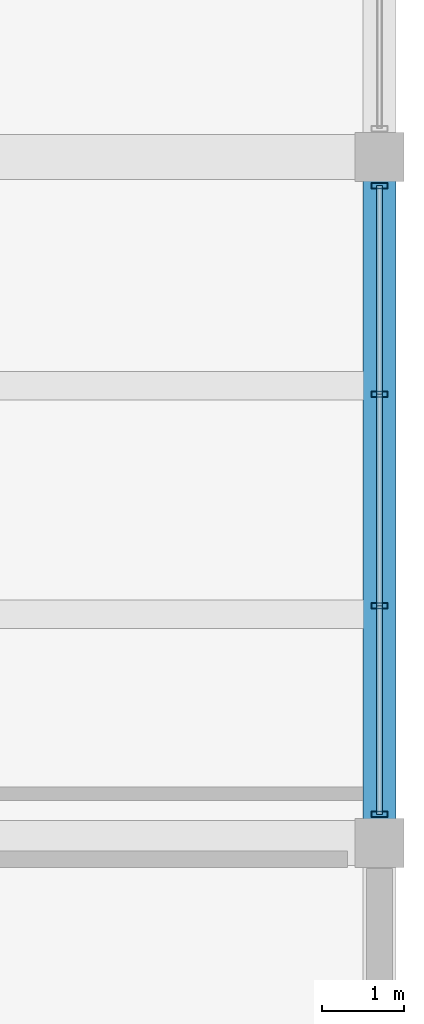
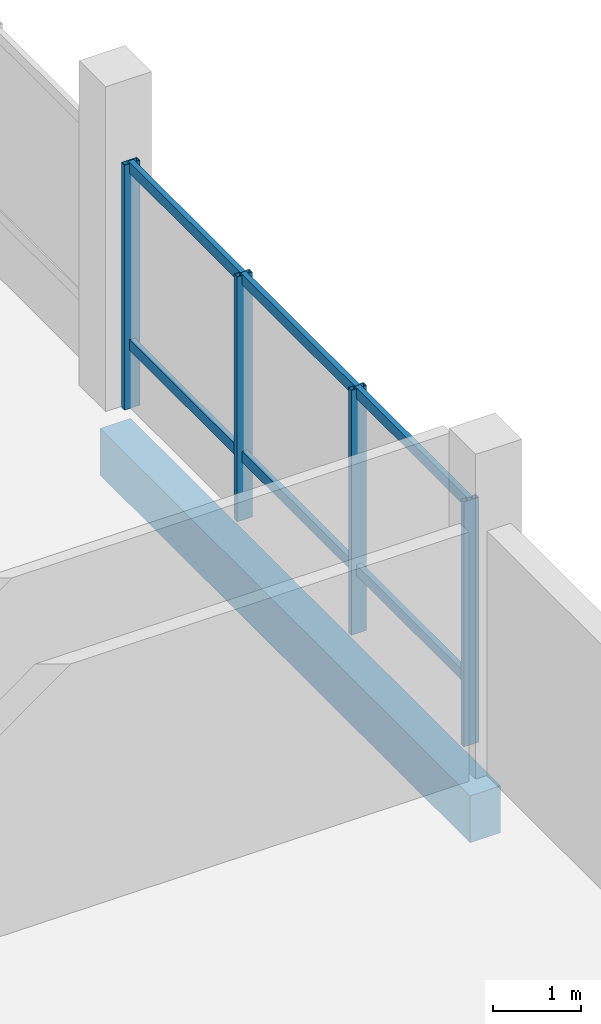
# One storey, part 54 of 77: 10 members, 1 beam, 1 element without a shape of its own.
"""IFC4 building model written with IfcOpenShell, lengths in metres."""

from ifc_helpers import new_model, si_unit, direction, frame, origin, origin_2d, place, context, subcontext, project, spatial, rectangle, hollow_rectangle, extrude, material, layer, layer_set, material_profile, profile_set, type_object, element, aggregate, save


model = new_model("IFC4")

# Units and contexts
model_context = context("Model", 3, precision=1e-05, world=origin(), true_north=direction((0.0, 1.0)))
body_context = subcontext(model_context, "Body", "Model", "MODEL_VIEW")
ifc_project = project(units=[si_unit("LENGTHUNIT", "METRE"), si_unit("AREAUNIT", "SQUARE_METRE"), si_unit("VOLUMEUNIT", "CUBIC_METRE"), si_unit("PLANEANGLEUNIT", "RADIAN"), si_unit("MASSUNIT", "GRAM", prefix="KILO")], contexts=[model_context])

# Site, building, storey
site_placement = place(None, origin())
site = spatial("IfcSite", under=ifc_project, at=site_placement, CompositionType="ELEMENT")
building_placement = place(site_placement, origin())
building = spatial("IfcBuilding", under=site, at=building_placement, Name="Meriwether Solvik Hall", CompositionType="ELEMENT")
storey_placement = place(building_placement, frame((0.0, 0.0, 9.89990234375)))
storey = spatial("IfcBuildingStorey", under=building, at=storey_placement, Name="L02", CompositionType="ELEMENT", Elevation=9.89990234375)

# Beam
ifc_material_1 = material(Name="Concrete C40/50", Category="concrete")
ifc_material_profile_1 = material_profile(ifc_material_1, rectangle(XDim=0.39990234375, YDim=0.64990234375, at=origin_2d()), Name="RCB-400X650")
ifc_profile_set_1 = profile_set([ifc_material_profile_1], Name="Concrete C40/50")
beam_type = type_object("IfcBeamType", Name="BM-RC-400X650", PredefinedType="SPANDREL", material=ifc_profile_set_1)
beam_placement = place(storey_placement, frame((166.800048828125, 92.800048828125, -0.77490234375), z_axis=(0.0, 1.0, 0.0), x_axis=(-1.0, 0.0, 0.0)))
element("IfcBeam", 1, at=beam_placement, inside=storey, type_object=beam_type, Name="Podium Girder 19:K-L (L02)", PredefinedType="SPANDREL", context=body_context, shape_type="SweptSolid", body=[
    extrude(rectangle(XDim=0.39990234375, YDim=0.64990234375, at=origin_2d()), origin(), (0.0, 0.0, 1.0), 8.39990234375),
])

# Curtain wall, members
ifc_material_2 = material(Name="Thermally Broken Anodised Aluminium 6063-T6 and Low-E Glass", Category="aluminium")
ifc_layer = layer(ifc_material_2, 0.179931640625)
ifc_layer_set = layer_set([ifc_layer], Name="Thermally Broken Anodised Aluminium 6063-T6 and Low-E Glass")
curtain_wall_type = type_object("IfcCurtainWallType", Name="CW-SF-POD-C", PredefinedType="USERDEFINED", material=ifc_layer_set)
curtain_wall_placement = place(storey_placement, origin())
curtain_wall = element("IfcCurtainWall", 2, at=curtain_wall_placement, inside=storey, type_object=curtain_wall_type, Name="Curtain Wall wing_Y19_11_47 (L02)", ObjectType="STICK STOREFRONT GLAZING", PredefinedType="USERDEFINED")
ifc_material_3 = material(Name="Anodised Aluminium 6063-T6", Category="aluminium")
ifc_material_profile_2 = material_profile(ifc_material_3, hollow_rectangle(XDim=0.070068359375, YDim=0.199951171875, WallThickness=0.0048828125, at=origin_2d()), Name="CWM-70X200")
ifc_profile_set_2 = profile_set([ifc_material_profile_2], Name="Anodised Aluminium 6063-T6")
member_type_1 = type_object("IfcMemberType", Name="CW-MUL-70X200", PredefinedType="MULLION", material=ifc_profile_set_2)
member_1_placement = place(storey_placement, frame((166.800048828125, 100.85009765625, 0.0), z_axis=(0.0, 0.0, 1.0), x_axis=(0.0, -1.0, 0.0)))
member_1 = element("IfcMember", 3, at=member_1_placement, type_object=member_type_1, Name="Curtain Wall Mullion 1", PredefinedType="MULLION", context=body_context, shape_type="SweptSolid", body=[
    extrude(hollow_rectangle(XDim=0.070068359375, YDim=0.199951171875, WallThickness=0.0048828125, at=origin_2d()), origin(), (0.0, 0.0, 1.0), 3.39501953125),
])
member_2_placement = place(storey_placement, frame((166.800048828125, 98.2958984375, 0.0), z_axis=(0.0, 0.0, 1.0), x_axis=(0.0, -1.0, 0.0)))
member_2 = element("IfcMember", 4, at=member_2_placement, type_object=member_type_1, Name="Curtain Wall Mullion 2", PredefinedType="MULLION", context=body_context, shape_type="SweptSolid", body=[
    extrude(hollow_rectangle(XDim=0.070068359375, YDim=0.199951171875, WallThickness=0.0048828125, at=origin_2d()), origin(), (0.0, 0.0, 1.0), 3.39501953125),
])
member_3_placement = place(storey_placement, frame((166.800048828125, 95.7041015625, 0.0), z_axis=(0.0, 0.0, 1.0), x_axis=(0.0, -1.0, 0.0)))
member_3 = element("IfcMember", 5, at=member_3_placement, type_object=member_type_1, Name="Curtain Wall Mullion 3", PredefinedType="MULLION", context=body_context, shape_type="SweptSolid", body=[
    extrude(hollow_rectangle(XDim=0.070068359375, YDim=0.199951171875, WallThickness=0.0048828125, at=origin_2d()), origin(), (0.0, 0.0, 1.0), 3.39501953125),
])
member_4_placement = place(storey_placement, frame((166.800048828125, 93.14990234375, 0.0), z_axis=(0.0, 0.0, 1.0), x_axis=(0.0, -1.0, 0.0)))
member_4 = element("IfcMember", 6, at=member_4_placement, type_object=member_type_1, Name="Curtain Wall Mullion 4", PredefinedType="MULLION", context=body_context, shape_type="SweptSolid", body=[
    extrude(hollow_rectangle(XDim=0.070068359375, YDim=0.199951171875, WallThickness=0.0048828125, at=origin_2d()), origin(), (0.0, 0.0, 1.0), 3.39501953125),
])
ifc_material_4 = material(Name="Anodised Aluminium 6063-T6", Category="aluminium")
ifc_material_profile_3 = material_profile(ifc_material_4, hollow_rectangle(XDim=0.070068359375, YDim=0.14990234375, WallThickness=0.0048828125, at=origin_2d()), Name="CWT-70X150")
ifc_profile_set_3 = profile_set([ifc_material_profile_3], Name="Anodised Aluminium 6063-T6")
member_type_2 = type_object("IfcMemberType", Name="CW-TRN-70X150", PredefinedType="USERDEFINED", material=ifc_profile_set_3)
member_5_placement = place(storey_placement, frame((166.800048828125, 100.85009765625, 0.880126953125), z_axis=(0.0, -1.0, 0.0), x_axis=(1.0, 0.0, 0.0)))
member_5 = element("IfcMember", 7, at=member_5_placement, type_object=member_type_2, Name="Curtain Wall Transom 1-sill", ObjectType="TRANSOM", PredefinedType="USERDEFINED", context=body_context, shape_type="SweptSolid", body=[
    extrude(hollow_rectangle(XDim=0.070068359375, YDim=0.14990234375, WallThickness=0.0048828125, at=origin_2d()), origin(), (0.0, 0.0, 1.0), 2.55419921875),
])
member_6_placement = place(storey_placement, frame((166.800048828125, 100.85009765625, 3.335205078125), z_axis=(0.0, -1.0, 0.0), x_axis=(1.0, 0.0, 0.0)))
member_6 = element("IfcMember", 8, at=member_6_placement, type_object=member_type_2, Name="Curtain Wall Transom 1-head", ObjectType="TRANSOM", PredefinedType="USERDEFINED", context=body_context, shape_type="SweptSolid", body=[
    extrude(hollow_rectangle(XDim=0.070068359375, YDim=0.14990234375, WallThickness=0.0048828125, at=origin_2d()), origin(), (0.0, 0.0, 1.0), 2.55419921875),
])
member_7_placement = place(storey_placement, frame((166.800048828125, 98.2958984375, 0.880126953125), z_axis=(0.0, -1.0, 0.0), x_axis=(1.0, 0.0, 0.0)))
member_7 = element("IfcMember", 9, at=member_7_placement, type_object=member_type_2, Name="Curtain Wall Transom 2-sill", ObjectType="TRANSOM", PredefinedType="USERDEFINED", context=body_context, shape_type="SweptSolid", body=[
    extrude(hollow_rectangle(XDim=0.070068359375, YDim=0.14990234375, WallThickness=0.0048828125, at=origin_2d()), origin(), (0.0, 0.0, 1.0), 2.591796875),
])
member_8_placement = place(storey_placement, frame((166.800048828125, 98.2958984375, 3.335205078125), z_axis=(0.0, -1.0, 0.0), x_axis=(1.0, 0.0, 0.0)))
member_8 = element("IfcMember", 10, at=member_8_placement, type_object=member_type_2, Name="Curtain Wall Transom 2-head", ObjectType="TRANSOM", PredefinedType="USERDEFINED", context=body_context, shape_type="SweptSolid", body=[
    extrude(hollow_rectangle(XDim=0.070068359375, YDim=0.14990234375, WallThickness=0.0048828125, at=origin_2d()), origin(), (0.0, 0.0, 1.0), 2.591796875),
])
member_9_placement = place(storey_placement, frame((166.800048828125, 95.7041015625, 0.880126953125), z_axis=(0.0, -1.0, 0.0), x_axis=(1.0, 0.0, 0.0)))
member_9 = element("IfcMember", 11, at=member_9_placement, type_object=member_type_2, Name="Curtain Wall Transom 3-sill", ObjectType="TRANSOM", PredefinedType="USERDEFINED", context=body_context, shape_type="SweptSolid", body=[
    extrude(hollow_rectangle(XDim=0.070068359375, YDim=0.14990234375, WallThickness=0.0048828125, at=origin_2d()), origin(), (0.0, 0.0, 1.0), 2.55419921875),
])
member_10_placement = place(storey_placement, frame((166.800048828125, 95.7041015625, 3.335205078125), z_axis=(0.0, -1.0, 0.0), x_axis=(1.0, 0.0, 0.0)))
member_10 = element("IfcMember", 12, at=member_10_placement, type_object=member_type_2, Name="Curtain Wall Transom 3-head", ObjectType="TRANSOM", PredefinedType="USERDEFINED", context=body_context, shape_type="SweptSolid", body=[
    extrude(hollow_rectangle(XDim=0.070068359375, YDim=0.14990234375, WallThickness=0.0048828125, at=origin_2d()), origin(), (0.0, 0.0, 1.0), 2.55419921875),
])
aggregate(curtain_wall, [member_1, member_2, member_3, member_4, member_5, member_6, member_7, member_8, member_9, member_10])

save(model, "model.ifc")
